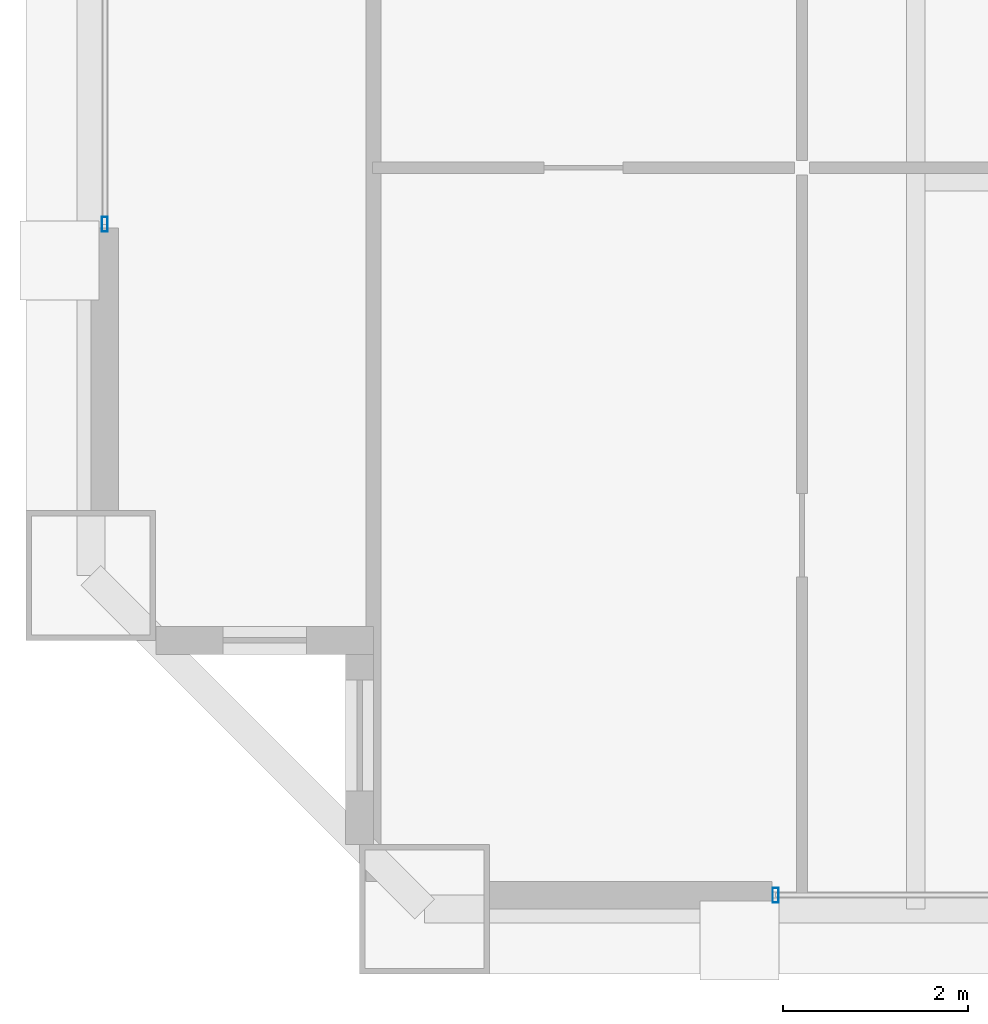
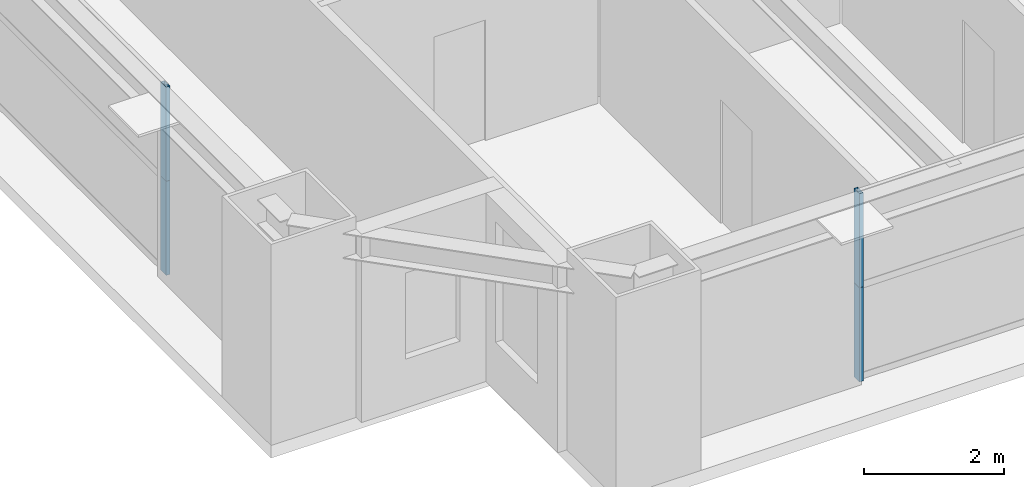
# One storey, part 4 of 38: 4 members, 2 elements without a shape of their own.
"""IFC4 building model written with IfcOpenShell, lengths in metres."""

from ifc_helpers import new_model, si_unit, direction, frame, origin, origin_2d, place, context, subcontext, project, spatial, hollow_rectangle, extrude, source, transform, mapped, material, layer, layer_set, material_profile, profile_set, type_object, element, aggregate, save


model = new_model("IFC4")

# Units and contexts
model_context = context("Model", 3, precision=1e-05, world=origin(), true_north=direction((0.0, 1.0)))
body_context = subcontext(model_context, "Body", "Model", "MODEL_VIEW")
ifc_project = project(units=[si_unit("LENGTHUNIT", "METRE"), si_unit("AREAUNIT", "SQUARE_METRE"), si_unit("VOLUMEUNIT", "CUBIC_METRE"), si_unit("PLANEANGLEUNIT", "RADIAN"), si_unit("MASSUNIT", "GRAM", prefix="KILO"), si_unit("THERMODYNAMICTEMPERATUREUNIT", "KELVIN"), si_unit("POWERUNIT", "WATT")], contexts=[model_context])

# Site, building, storey
site_placement = place(None, origin())
site = spatial("IfcSite", under=ifc_project, at=site_placement, CompositionType="ELEMENT")
building_placement = place(site_placement, origin())
building = spatial("IfcBuilding", under=site, at=building_placement, Name="Yuzanri Waterfront Tower", CompositionType="ELEMENT")
storey_placement = place(building_placement, frame((0.0, 0.0, 195.0)))
storey = spatial("IfcBuildingStorey", under=building, at=storey_placement, Name="L51", CompositionType="ELEMENT", Elevation=195.0)

# Curtain wall, members
ifc_material_1 = material(Name="Anodized Architectural Bronze", Category="metal")
ifc_layer = layer(ifc_material_1, 0.159912109375)
ifc_layer_set = layer_set([ifc_layer], Name="Anodized Architectural Bronze")
curtain_wall_type = type_object("IfcCurtainWallType", Name="Anodized Bronze Mid-Rise Residential Acoustic Unitized Curtain Wall 7200", PredefinedType="NOTDEFINED", material=ifc_layer_set)
curtain_wall_1_placement = place(storey_placement, origin())
curtain_wall_1 = element("IfcCurtainWall", 1, at=curtain_wall_1_placement, inside=storey, type_object=curtain_wall_type, Name="L51 Curtain Wall CW-L51-SL", PredefinedType="NOTDEFINED")
ifc_material_2 = material(Name="Anodized Architectural Bronze", Category="metal")
ifc_material_profile = material_profile(ifc_material_2, hollow_rectangle(XDim=0.06494140625, YDim=0.159912109375, WallThickness=0.00341796875, at=origin_2d()), Name="CWM 65x160")
ifc_profile_set = profile_set([ifc_material_profile], Name="Anodized Architectural Bronze")
member_type = type_object("IfcMemberType", Name="Anodized Bronze Upper-Zone Curtain-Wall Mullion 65x160", PredefinedType="MULLION", material=ifc_profile_set)
shared_shape = source(origin(), body_context, "Body", "SweptSolid", [
    extrude(hollow_rectangle(XDim=0.06494140625, YDim=0.159912109375, WallThickness=0.00341796875, at=origin_2d()), origin(), (0.0, 0.0, 1.0), 1.637939453125),
])
member_1_placement = place(storey_placement, frame((22.2900390625, 3.85009765625, 0.0), z_axis=(0.0, 0.0, 1.0), x_axis=(1.0, 0.0, 0.0)))
member_1 = element("IfcMember", 2, at=member_1_placement, type_object=member_type, Name="CW-L51-SL Lower Mullion 00", PredefinedType="MULLION", context=body_context, shape_type="MappedRepresentation", body=[
    mapped(shared_shape, transform((0.0, 0.0, 0.0), scale=1.0)),
])
member_2_placement = place(storey_placement, frame((22.2900390625, 3.85009765625, 1.64208984375), z_axis=(0.0, 0.0, 1.0), x_axis=(1.0, 0.0, 0.0)))
member_2 = element("IfcMember", 3, at=member_2_placement, type_object=member_type, Name="CW-L51-SL Upper Mullion 00", PredefinedType="MULLION", context=body_context, shape_type="MappedRepresentation", body=[
    mapped(shared_shape, transform((0.0, 0.0, 0.0), scale=1.0)),
])
aggregate(curtain_wall_1, [member_1, member_2])

curtain_wall_2_placement = place(storey_placement, origin())
curtain_wall_2 = element("IfcCurtainWall", 4, at=curtain_wall_2_placement, inside=storey, type_object=curtain_wall_type, Name="L51 Curtain Wall CW-L51-WL", PredefinedType="NOTDEFINED")
member_3_placement = place(storey_placement, frame((15.050048828125, 11.090087890625, 0.0), z_axis=(0.0, 0.0, 1.0), x_axis=(1.0, 0.0, 0.0)))
member_3 = element("IfcMember", 5, at=member_3_placement, type_object=member_type, Name="CW-L51-WL Lower Mullion 00", PredefinedType="MULLION", context=body_context, shape_type="MappedRepresentation", body=[
    mapped(shared_shape, transform((0.0, 0.0, 0.0), scale=1.0)),
])
member_4_placement = place(storey_placement, frame((15.050048828125, 11.090087890625, 1.64208984375), z_axis=(0.0, 0.0, 1.0), x_axis=(1.0, 0.0, 0.0)))
member_4 = element("IfcMember", 6, at=member_4_placement, type_object=member_type, Name="CW-L51-WL Upper Mullion 00", PredefinedType="MULLION", context=body_context, shape_type="MappedRepresentation", body=[
    mapped(shared_shape, transform((0.0, 0.0, 0.0), scale=1.0)),
])
aggregate(curtain_wall_2, [member_3, member_4])

save(model, "model.ifc")
